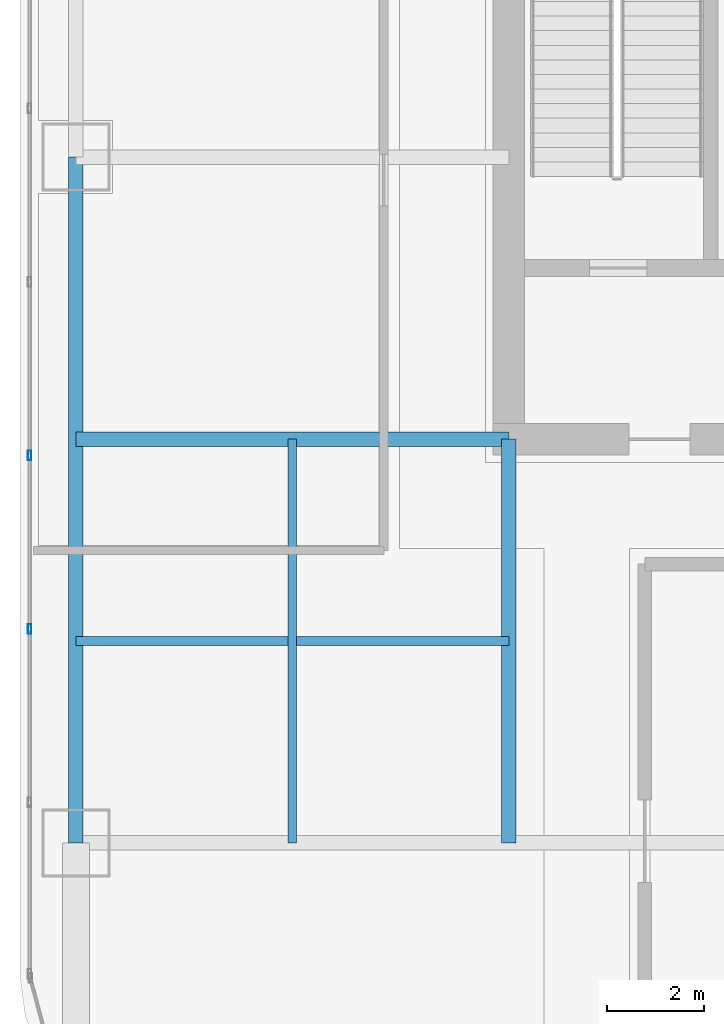
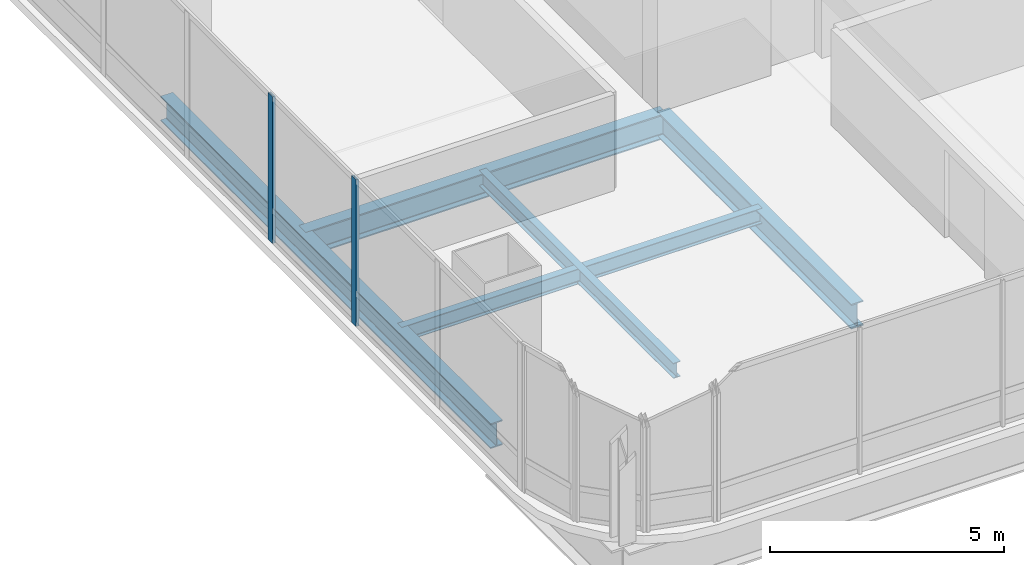
# One storey, part 4 of 35: 5 beams, 2 members, 1 element without a shape of its own.
"""IFC4 building model written with IfcOpenShell, lengths in metres."""

from ifc_helpers import new_model, si_unit, direction, frame, origin, origin_2d, place, context, subcontext, project, spatial, hollow_rectangle, i_section, extrude, material, material_profile, profile_set, type_object, element, aggregate, save


model = new_model("IFC4")

# Units and contexts
model_context = context("Model", 3, precision=1e-05, world=origin(), true_north=direction((0.0, 1.0)))
body_context = subcontext(model_context, "Body", "Model", "MODEL_VIEW")
ifc_project = project(units=[si_unit("LENGTHUNIT", "METRE"), si_unit("AREAUNIT", "SQUARE_METRE"), si_unit("VOLUMEUNIT", "CUBIC_METRE"), si_unit("PLANEANGLEUNIT", "RADIAN"), si_unit("MASSUNIT", "GRAM", prefix="KILO")], contexts=[model_context])

# Site, building, storey
site_placement = place(None, origin())
site = spatial("IfcSite", under=ifc_project, at=site_placement, CompositionType="ELEMENT")
building_placement = place(site_placement, origin())
building = spatial("IfcBuilding", under=site, at=building_placement, Name="Punatoya Terracotta Tower", CompositionType="ELEMENT")
storey_placement = place(building_placement, frame((0.0, 0.0, 216.75)))
storey = spatial("IfcBuildingStorey", under=building, at=storey_placement, Name="L51", CompositionType="ELEMENT", Elevation=216.75)

# Beams
ifc_material_1 = material(Name="Steel S355", Category="steel")
ifc_material_profile_1 = material_profile(ifc_material_1, i_section(OverallWidth=0.300048828125, OverallDepth=0.64990234375, WebThickness=0.01611328125, FlangeThickness=0.031005859375, FilletRadius=0.01806640625, at=origin_2d()))
ifc_profile_set_1 = profile_set([ifc_material_profile_1], Name="Steel S355")
beam_type_1 = type_object("IfcBeamType", Name="BM-PRI-650", PredefinedType="BEAM", material=ifc_profile_set_1)
beam_1_placement = place(storey_placement, frame((-19.10009765625, -17.5, -0.544921875), z_axis=(0.0, 1.0, 0.0), x_axis=(-1.0, 0.0, 0.0)))
element("IfcBeam", 1, at=beam_1_placement, inside=storey, type_object=beam_type_1, Name="BM-L51-RG-W1", PredefinedType="BEAM", context=body_context, shape_type="SweptSolid", body=[
    extrude(i_section(OverallWidth=0.300048828125, OverallDepth=0.64990234375, WebThickness=0.01611328125, FlangeThickness=0.031005859375, FilletRadius=0.01806640625, at=origin_2d()), origin(), (0.0, 0.0, 1.0), 14.10009765625),
])
beam_2_placement = place(storey_placement, frame((-19.10009765625, -9.199951171875, -0.544921875), z_axis=(1.0, 0.0, 0.0), x_axis=(0.0, 1.0, 0.0)))
element("IfcBeam", 2, at=beam_2_placement, inside=storey, type_object=beam_type_1, Name="BM-L51-PR-WS", PredefinedType="BEAM", context=body_context, shape_type="SweptSolid", body=[
    extrude(i_section(OverallWidth=0.300048828125, OverallDepth=0.64990234375, WebThickness=0.01611328125, FlangeThickness=0.031005859375, FilletRadius=0.01806640625, at=origin_2d()), origin(), (0.0, 0.0, 1.0), 8.900146484375),
])
beam_3_placement = place(storey_placement, frame((-10.199951171875, -17.5, -0.544921875), z_axis=(0.0, 1.0, 0.0), x_axis=(-1.0, 0.0, 0.0)))
element("IfcBeam", 3, at=beam_3_placement, inside=storey, type_object=beam_type_1, Name="BM-L51-PR-S1", PredefinedType="BEAM", context=body_context, shape_type="SweptSolid", body=[
    extrude(i_section(OverallWidth=0.300048828125, OverallDepth=0.64990234375, WebThickness=0.01611328125, FlangeThickness=0.031005859375, FilletRadius=0.01806640625, at=origin_2d()), origin(), (0.0, 0.0, 1.0), 8.300048828125),
])
ifc_material_profile_2 = material_profile(ifc_material_1, i_section(OverallWidth=0.179931640625, OverallDepth=0.39990234375, WebThickness=0.008544921875, FlangeThickness=0.013427734375, FilletRadius=0.01806640625, at=origin_2d()))
ifc_profile_set_2 = profile_set([ifc_material_profile_2], Name="Steel S355")
beam_type_2 = type_object("IfcBeamType", Name="BM-SEC-400", PredefinedType="JOIST", material=ifc_profile_set_2)
beam_4_placement = place(storey_placement, frame((-19.10009765625, -13.35009765625, -0.419921875), z_axis=(1.0, 0.0, 0.0), x_axis=(0.0, 1.0, 0.0)))
element("IfcBeam", 4, at=beam_4_placement, inside=storey, type_object=beam_type_2, Name="BM-L51-SJS-1", PredefinedType="JOIST", context=body_context, shape_type="SweptSolid", body=[
    extrude(i_section(OverallWidth=0.179931640625, OverallDepth=0.39990234375, WebThickness=0.008544921875, FlangeThickness=0.013427734375, FilletRadius=0.01806640625, at=origin_2d()), origin(), (0.0, 0.0, 1.0), 8.900146484375),
])
beam_5_placement = place(storey_placement, frame((-14.64990234375, -17.5, -0.419921875), z_axis=(0.0, 1.0, 0.0), x_axis=(-1.0, 0.0, 0.0)))
element("IfcBeam", 5, at=beam_5_placement, inside=storey, type_object=beam_type_2, Name="BM-L51-SJW-1", PredefinedType="JOIST", context=body_context, shape_type="SweptSolid", body=[
    extrude(i_section(OverallWidth=0.179931640625, OverallDepth=0.39990234375, WebThickness=0.008544921875, FlangeThickness=0.013427734375, FilletRadius=0.01806640625, at=origin_2d()), origin(), (0.0, 0.0, 1.0), 8.300048828125),
])

# Curtain wall, members
ifc_material_2 = material(Name="Aluminium 6063-T6 + Double Low-E Glass", Category="aluminium")
curtain_wall_type = type_object("IfcCurtainWallType", Name="CW-M2", PredefinedType="NOTDEFINED", material=ifc_material_2)
curtain_wall_placement = place(storey_placement, origin())
curtain_wall = element("IfcCurtainWall", 6, at=curtain_wall_placement, inside=storey, type_object=curtain_wall_type, Name="L51 Curtain Wall CW-L51-W13-1", PredefinedType="NOTDEFINED")
ifc_material_3 = material(Name="Aluminium 6063-T6", Category="aluminium")
ifc_material_profile_3 = material_profile(ifc_material_3, hollow_rectangle(XDim=0.072021484375, YDim=0.195068359375, WallThickness=0.00439453125, at=origin_2d()))
ifc_profile_set_3 = profile_set([ifc_material_profile_3], Name="Aluminium 6063-T6")
member_type = type_object("IfcMemberType", Name="CW-MUL-M2", PredefinedType="MULLION", material=ifc_profile_set_3)
member_1_placement = place(storey_placement, frame((-20.050048828125, -9.534912109375, 0.0), z_axis=(0.0, 0.0, 1.0), x_axis=(1.0, 0.0, 0.0)))
member_1 = element("IfcMember", 7, at=member_1_placement, type_object=member_type, Name="CW-L51-W13-1 Mullion 07", PredefinedType="MULLION", context=body_context, shape_type="SweptSolid", body=[
    extrude(hollow_rectangle(XDim=0.072021484375, YDim=0.195068359375, WallThickness=0.00439453125, at=origin_2d()), origin(), (0.0, 0.0, 1.0), 3.830078125),
])
member_2_placement = place(storey_placement, frame((-20.050048828125, -13.10205078125, 0.0), z_axis=(0.0, 0.0, 1.0), x_axis=(1.0, 0.0, 0.0)))
member_2 = element("IfcMember", 8, at=member_2_placement, type_object=member_type, Name="CW-L51-W13-1 Mullion 08", PredefinedType="MULLION", context=body_context, shape_type="SweptSolid", body=[
    extrude(hollow_rectangle(XDim=0.072021484375, YDim=0.195068359375, WallThickness=0.00439453125, at=origin_2d()), origin(), (0.0, 0.0, 1.0), 3.830078125),
])
aggregate(curtain_wall, [member_1, member_2])

save(model, "model.ifc")
